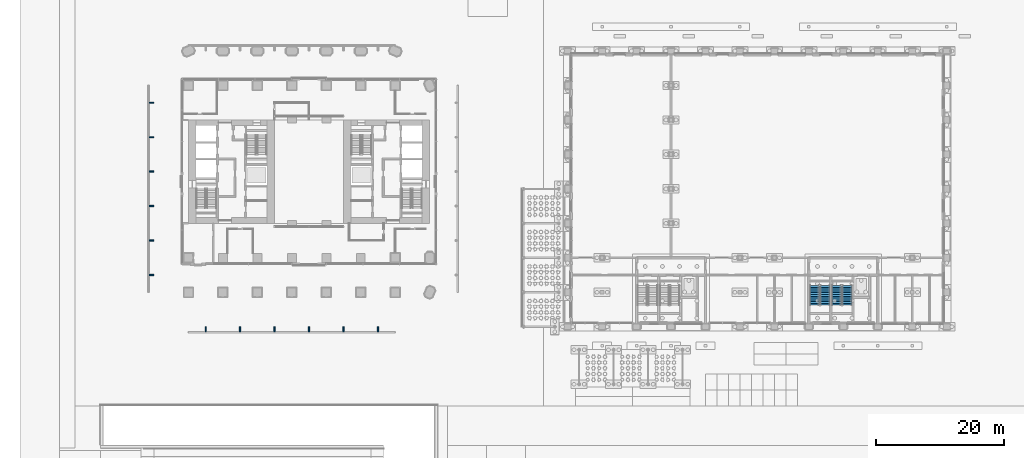
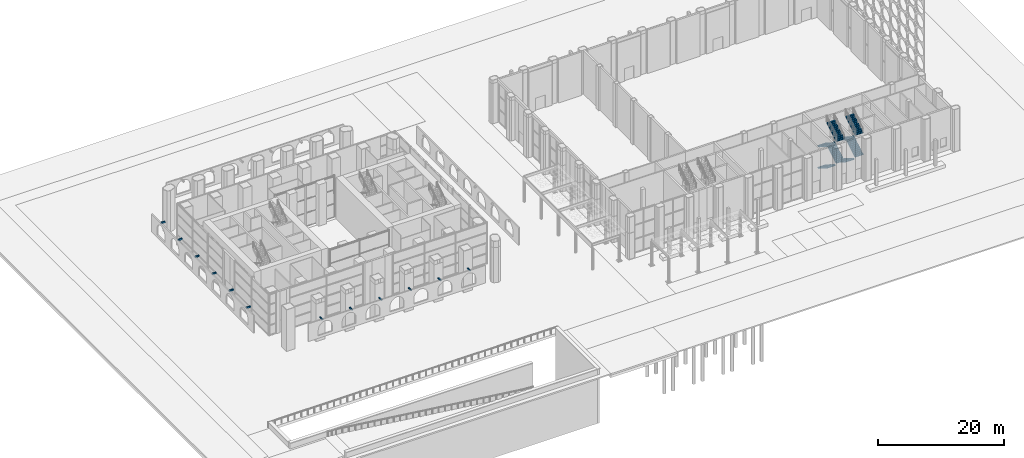
# One storey, part 38 of 54: 12 discrete accessories, 8 stair flights, 2 elements without a shape of their own.
"""IFC4 building model written with IfcOpenShell, lengths in metres."""

from ifc_helpers import new_model, si_unit, direction, frame, origin, origin_2d, place, context, subcontext, project, spatial, polyline, rectangle, outline, extrude, material, type_object, element, aggregate, save


model = new_model("IFC4")

# Units and contexts
model_context = context("Model", 3, precision=1e-05, world=origin(), true_north=direction((0.0, 1.0)))
body_context = subcontext(model_context, "Body", "Model", "MODEL_VIEW")
ifc_project = project(units=[si_unit("LENGTHUNIT", "METRE"), si_unit("AREAUNIT", "SQUARE_METRE"), si_unit("VOLUMEUNIT", "CUBIC_METRE"), si_unit("PLANEANGLEUNIT", "RADIAN"), si_unit("MASSUNIT", "GRAM", prefix="KILO")], contexts=[model_context])

# Site, building, storey
site_placement = place(None, origin())
site = spatial("IfcSite", under=ifc_project, at=site_placement, CompositionType="ELEMENT")
building_placement = place(site_placement, origin())
building = spatial("IfcBuilding", under=site, at=building_placement, Name="Tabaq Tower and Sports Hall", CompositionType="ELEMENT")
storey_placement = place(building_placement, origin())
storey = spatial("IfcBuildingStorey", under=building, at=storey_placement, Name="L00", CompositionType="ELEMENT", Elevation=0.0)

# Stair, stair flights
ifc_material_1 = material(Name="Concrete C40/50", Category="concrete")
stair_type = type_object("IfcStairType", Name="HALL STAIR HALF-TURN", PredefinedType="HALF_TURN_STAIR", material=ifc_material_1)
stair_1_placement = place(storey_placement, origin())
stair_1 = element("IfcStair", 1, at=stair_1_placement, inside=storey, type_object=stair_type, Name="L00 Stair H3", PredefinedType="HALF_TURN_STAIR")
ifc_material_2 = material(Name="Concrete C40/50", Category="concrete")
stair_flight_type = type_object("IfcStairFlightType", Name="HALL STAIR FLIGHT 1500", PredefinedType="STRAIGHT", material=ifc_material_2)
stair_flight_1_placement = place(storey_placement, frame((103.5, 6.449951171875, 0.0), z_axis=(0.0, 0.0, 1.0), x_axis=(0.0, -1.0, 0.0)))
stair_flight_1 = element("IfcStairFlight", 2, at=stair_flight_1_placement, type_object=stair_flight_type, Name="ST-H3 flight 1", NumberOfRisers=12, NumberOfTreads=11, PredefinedType="STRAIGHT", RiserHeight=0.175, TreadLength=0.28, context=body_context, shape_type="SweptSolid", body=[
    extrude(outline(polyline([(0.0, 0.0), (0.0, 0.175048828125), (0.280029296875, 0.175048828125), (0.280029296875, 0.35009765625), (0.56005859375, 0.35009765625), (0.56005859375, 0.52490234375), (0.840087890625, 0.52490234375), (0.840087890625, 0.699951171875), (1.1201171875, 0.699951171875), (1.1201171875, 0.875), (1.39990234375, 0.875), (1.39990234375, 1.050048828125), (1.679931640625, 1.050048828125), (1.679931640625, 1.22509765625), (1.9599609375, 1.22509765625), (1.9599609375, 1.39990234375), (2.239990234375, 1.39990234375), (2.239990234375, 1.574951171875), (2.52001953125, 1.574951171875), (2.52001953125, 1.75), (2.800048828125, 1.75), (2.800048828125, 1.925048828125), (3.080078125, 1.925048828125), (3.080078125, 2.10009765625), (3.080078125, 1.748291015625), (0.28271484375, 0.0), (0.0, 0.0)])), frame((0.0, 0.75, 0.0), z_axis=(0.0, -1.0, 0.0), x_axis=(1.0, 0.0, 0.0)), (0.0, 0.0, 1.0), 1.5),
])
stair_flight_2_placement = place(storey_placement, frame((105.14990234375, 3.3701171875, 2.10009765625), z_axis=(0.0, 0.0, 1.0), x_axis=(0.0, 1.0, 0.0)))
stair_flight_2 = element("IfcStairFlight", 3, at=stair_flight_2_placement, type_object=stair_flight_type, Name="ST-H3 flight 2", NumberOfRisers=12, NumberOfTreads=11, PredefinedType="STRAIGHT", RiserHeight=0.175, TreadLength=0.28, context=body_context, shape_type="SweptSolid", body=[
    extrude(outline(polyline([(0.0, 0.0), (0.0, 0.175048828125), (0.280029296875, 0.175048828125), (0.280029296875, 0.35009765625), (0.56005859375, 0.35009765625), (0.56005859375, 0.52490234375), (0.840087890625, 0.52490234375), (0.840087890625, 0.699951171875), (1.1201171875, 0.699951171875), (1.1201171875, 0.875), (1.39990234375, 0.875), (1.39990234375, 1.050048828125), (1.679931640625, 1.050048828125), (1.679931640625, 1.22509765625), (1.9599609375, 1.22509765625), (1.9599609375, 1.39990234375), (2.239990234375, 1.39990234375), (2.239990234375, 1.574951171875), (2.52001953125, 1.574951171875), (2.52001953125, 1.75), (2.800048828125, 1.75), (2.800048828125, 1.925048828125), (3.080078125, 1.925048828125), (3.080078125, 2.10009765625), (3.080078125, 1.748291015625), (0.28271484375, 0.0), (0.0, 0.0)])), frame((0.0, 0.75, 0.0), z_axis=(0.0, -1.0, 0.0), x_axis=(1.0, 0.0, 0.0)), (0.0, 0.0, 1.0), 1.5),
])
stair_flight_3_placement = place(storey_placement, frame((103.5, 6.449951171875, 4.199951171875), z_axis=(0.0, 0.0, 1.0), x_axis=(0.0, -1.0, 0.0)))
stair_flight_3 = element("IfcStairFlight", 4, at=stair_flight_3_placement, type_object=stair_flight_type, Name="ST-H3 flight 3", NumberOfRisers=12, NumberOfTreads=11, PredefinedType="STRAIGHT", RiserHeight=0.175, TreadLength=0.28, context=body_context, shape_type="SweptSolid", body=[
    extrude(outline(polyline([(0.0, 0.0), (0.0, 0.175048828125), (0.280029296875, 0.175048828125), (0.280029296875, 0.35009765625), (0.56005859375, 0.35009765625), (0.56005859375, 0.52490234375), (0.840087890625, 0.52490234375), (0.840087890625, 0.699951171875), (1.1201171875, 0.699951171875), (1.1201171875, 0.875), (1.39990234375, 0.875), (1.39990234375, 1.050048828125), (1.679931640625, 1.050048828125), (1.679931640625, 1.22509765625), (1.9599609375, 1.22509765625), (1.9599609375, 1.39990234375), (2.239990234375, 1.39990234375), (2.239990234375, 1.574951171875), (2.52001953125, 1.574951171875), (2.52001953125, 1.75), (2.800048828125, 1.75), (2.800048828125, 1.925048828125), (3.080078125, 1.925048828125), (3.080078125, 2.10009765625), (3.080078125, 1.748291015625), (0.28271484375, 0.0), (0.0, 0.0)])), frame((0.0, 0.75, 0.0), z_axis=(0.0, -1.0, 0.0), x_axis=(1.0, 0.0, 0.0)), (0.0, 0.0, 1.0), 1.5),
])
stair_flight_4_placement = place(storey_placement, frame((105.14990234375, 3.3701171875, 6.300048828125), z_axis=(0.0, 0.0, 1.0), x_axis=(0.0, 1.0, 0.0)))
stair_flight_4 = element("IfcStairFlight", 5, at=stair_flight_4_placement, type_object=stair_flight_type, Name="ST-H3 flight 4", NumberOfRisers=12, NumberOfTreads=11, PredefinedType="STRAIGHT", RiserHeight=0.175, TreadLength=0.28, context=body_context, shape_type="SweptSolid", body=[
    extrude(outline(polyline([(0.0, 0.0), (0.0, 0.175048828125), (0.280029296875, 0.175048828125), (0.280029296875, 0.35009765625), (0.56005859375, 0.35009765625), (0.56005859375, 0.52490234375), (0.840087890625, 0.52490234375), (0.840087890625, 0.699951171875), (1.1201171875, 0.699951171875), (1.1201171875, 0.875), (1.39990234375, 0.875), (1.39990234375, 1.050048828125), (1.679931640625, 1.050048828125), (1.679931640625, 1.22509765625), (1.9599609375, 1.22509765625), (1.9599609375, 1.39990234375), (2.239990234375, 1.39990234375), (2.239990234375, 1.574951171875), (2.52001953125, 1.574951171875), (2.52001953125, 1.75), (2.800048828125, 1.75), (2.800048828125, 1.925048828125), (3.080078125, 1.925048828125), (3.080078125, 2.10009765625), (3.080078125, 1.748291015625), (0.28271484375, 0.0), (0.0, 0.0)])), frame((0.0, 0.75, 0.0), z_axis=(0.0, -1.0, 0.0), x_axis=(1.0, 0.0, 0.0)), (0.0, 0.0, 1.0), 1.5),
])
aggregate(stair_1, [stair_flight_1, stair_flight_2, stair_flight_3, stair_flight_4])

stair_2_placement = place(storey_placement, origin())
stair_2 = element("IfcStair", 6, at=stair_2_placement, inside=storey, type_object=stair_type, Name="L00 Stair H4", PredefinedType="HALF_TURN_STAIR")
stair_flight_5_placement = place(storey_placement, frame((106.949951171875, 6.449951171875, 0.0), z_axis=(0.0, 0.0, 1.0), x_axis=(0.0, -1.0, 0.0)))
stair_flight_5 = element("IfcStairFlight", 7, at=stair_flight_5_placement, type_object=stair_flight_type, Name="ST-H4 flight 1", NumberOfRisers=12, NumberOfTreads=11, PredefinedType="STRAIGHT", RiserHeight=0.175, TreadLength=0.28, context=body_context, shape_type="SweptSolid", body=[
    extrude(outline(polyline([(0.0, 0.0), (0.0, 0.175048828125), (0.280029296875, 0.175048828125), (0.280029296875, 0.35009765625), (0.56005859375, 0.35009765625), (0.56005859375, 0.52490234375), (0.840087890625, 0.52490234375), (0.840087890625, 0.699951171875), (1.1201171875, 0.699951171875), (1.1201171875, 0.875), (1.39990234375, 0.875), (1.39990234375, 1.050048828125), (1.679931640625, 1.050048828125), (1.679931640625, 1.22509765625), (1.9599609375, 1.22509765625), (1.9599609375, 1.39990234375), (2.239990234375, 1.39990234375), (2.239990234375, 1.574951171875), (2.52001953125, 1.574951171875), (2.52001953125, 1.75), (2.800048828125, 1.75), (2.800048828125, 1.925048828125), (3.080078125, 1.925048828125), (3.080078125, 2.10009765625), (3.080078125, 1.748291015625), (0.28271484375, 0.0), (0.0, 0.0)])), frame((0.0, 0.75, 0.0), z_axis=(0.0, -1.0, 0.0), x_axis=(1.0, 0.0, 0.0)), (0.0, 0.0, 1.0), 1.5),
])
stair_flight_6_placement = place(storey_placement, frame((108.60009765625, 3.3701171875, 2.10009765625), z_axis=(0.0, 0.0, 1.0), x_axis=(0.0, 1.0, 0.0)))
stair_flight_6 = element("IfcStairFlight", 8, at=stair_flight_6_placement, type_object=stair_flight_type, Name="ST-H4 flight 2", NumberOfRisers=12, NumberOfTreads=11, PredefinedType="STRAIGHT", RiserHeight=0.175, TreadLength=0.28, context=body_context, shape_type="SweptSolid", body=[
    extrude(outline(polyline([(0.0, 0.0), (0.0, 0.175048828125), (0.280029296875, 0.175048828125), (0.280029296875, 0.35009765625), (0.56005859375, 0.35009765625), (0.56005859375, 0.52490234375), (0.840087890625, 0.52490234375), (0.840087890625, 0.699951171875), (1.1201171875, 0.699951171875), (1.1201171875, 0.875), (1.39990234375, 0.875), (1.39990234375, 1.050048828125), (1.679931640625, 1.050048828125), (1.679931640625, 1.22509765625), (1.9599609375, 1.22509765625), (1.9599609375, 1.39990234375), (2.239990234375, 1.39990234375), (2.239990234375, 1.574951171875), (2.52001953125, 1.574951171875), (2.52001953125, 1.75), (2.800048828125, 1.75), (2.800048828125, 1.925048828125), (3.080078125, 1.925048828125), (3.080078125, 2.10009765625), (3.080078125, 1.748291015625), (0.28271484375, 0.0), (0.0, 0.0)])), frame((0.0, 0.75, 0.0), z_axis=(0.0, -1.0, 0.0), x_axis=(1.0, 0.0, 0.0)), (0.0, 0.0, 1.0), 1.5),
])
stair_flight_7_placement = place(storey_placement, frame((106.949951171875, 6.449951171875, 4.199951171875), z_axis=(0.0, 0.0, 1.0), x_axis=(0.0, -1.0, 0.0)))
stair_flight_7 = element("IfcStairFlight", 9, at=stair_flight_7_placement, type_object=stair_flight_type, Name="ST-H4 flight 3", NumberOfRisers=12, NumberOfTreads=11, PredefinedType="STRAIGHT", RiserHeight=0.175, TreadLength=0.28, context=body_context, shape_type="SweptSolid", body=[
    extrude(outline(polyline([(0.0, 0.0), (0.0, 0.175048828125), (0.280029296875, 0.175048828125), (0.280029296875, 0.35009765625), (0.56005859375, 0.35009765625), (0.56005859375, 0.52490234375), (0.840087890625, 0.52490234375), (0.840087890625, 0.699951171875), (1.1201171875, 0.699951171875), (1.1201171875, 0.875), (1.39990234375, 0.875), (1.39990234375, 1.050048828125), (1.679931640625, 1.050048828125), (1.679931640625, 1.22509765625), (1.9599609375, 1.22509765625), (1.9599609375, 1.39990234375), (2.239990234375, 1.39990234375), (2.239990234375, 1.574951171875), (2.52001953125, 1.574951171875), (2.52001953125, 1.75), (2.800048828125, 1.75), (2.800048828125, 1.925048828125), (3.080078125, 1.925048828125), (3.080078125, 2.10009765625), (3.080078125, 1.748291015625), (0.28271484375, 0.0), (0.0, 0.0)])), frame((0.0, 0.75, 0.0), z_axis=(0.0, -1.0, 0.0), x_axis=(1.0, 0.0, 0.0)), (0.0, 0.0, 1.0), 1.5),
])
stair_flight_8_placement = place(storey_placement, frame((108.60009765625, 3.3701171875, 6.300048828125), z_axis=(0.0, 0.0, 1.0), x_axis=(0.0, 1.0, 0.0)))
stair_flight_8 = element("IfcStairFlight", 10, at=stair_flight_8_placement, type_object=stair_flight_type, Name="ST-H4 flight 4", NumberOfRisers=12, NumberOfTreads=11, PredefinedType="STRAIGHT", RiserHeight=0.175, TreadLength=0.28, context=body_context, shape_type="SweptSolid", body=[
    extrude(outline(polyline([(0.0, 0.0), (0.0, 0.175048828125), (0.280029296875, 0.175048828125), (0.280029296875, 0.35009765625), (0.56005859375, 0.35009765625), (0.56005859375, 0.52490234375), (0.840087890625, 0.52490234375), (0.840087890625, 0.699951171875), (1.1201171875, 0.699951171875), (1.1201171875, 0.875), (1.39990234375, 0.875), (1.39990234375, 1.050048828125), (1.679931640625, 1.050048828125), (1.679931640625, 1.22509765625), (1.9599609375, 1.22509765625), (1.9599609375, 1.39990234375), (2.239990234375, 1.39990234375), (2.239990234375, 1.574951171875), (2.52001953125, 1.574951171875), (2.52001953125, 1.75), (2.800048828125, 1.75), (2.800048828125, 1.925048828125), (3.080078125, 1.925048828125), (3.080078125, 2.10009765625), (3.080078125, 1.748291015625), (0.28271484375, 0.0), (0.0, 0.0)])), frame((0.0, 0.75, 0.0), z_axis=(0.0, -1.0, 0.0), x_axis=(1.0, 0.0, 0.0)), (0.0, 0.0, 1.0), 1.5),
])
aggregate(stair_2, [stair_flight_5, stair_flight_6, stair_flight_7, stair_flight_8])

# Discrete accessories
for number, where, z_axis, x_axis, name in (
    (11, (8.10009765625, -0.375, 8.10009765625), (0.0, 0.0, 1.0), (-1.0, 0.0, 0.0), "Stainless steel bracket"),
    (12, (13.5, -0.375, 8.10009765625), (0.0, 0.0, 1.0), (-1.0, 0.0, 0.0), "Stainless steel bracket"),
    (13, (18.89990234375, -0.375, 8.10009765625), (0.0, 0.0, 1.0), (-1.0, 0.0, 0.0), "Stainless steel bracket"),
    (14, (24.300048828125, -0.375, 8.10009765625), (0.0, 0.0, 1.0), (-1.0, 0.0, 0.0), "Stainless steel bracket"),
    (15, (29.699951171875, -0.375, 8.10009765625), (0.0, 0.0, 1.0), (-1.0, 0.0, 0.0), "Stainless steel bracket"),
    (16, (35.10009765625, -0.375, 8.10009765625), (0.0, 0.0, 1.0), (-1.0, 0.0, 0.0), "Stainless steel bracket"),
    (17, (-0.375, 35.10009765625, 8.10009765625), (0.0, 0.0, 1.0), (0.0, 1.0, 0.0), "Stainless steel bracket"),
    (18, (-0.375, 29.699951171875, 8.10009765625), (0.0, 0.0, 1.0), (0.0, 1.0, 0.0), "Stainless steel bracket"),
    (19, (-0.375, 24.300048828125, 8.10009765625), (0.0, 0.0, 1.0), (0.0, 1.0, 0.0), "Stainless steel bracket"),
    (20, (-0.375, 18.89990234375, 8.10009765625), (0.0, 0.0, 1.0), (0.0, 1.0, 0.0), "Stainless steel bracket"),
    (21, (-0.375, 13.5, 8.10009765625), (0.0, 0.0, 1.0), (0.0, 1.0, 0.0), "Stainless steel bracket"),
    (22, (-0.375, 8.10009765625, 8.10009765625), (0.0, 0.0, 1.0), (0.0, 1.0, 0.0), "Stainless steel bracket"),
):
    element("IfcDiscreteAccessory", number, at=place(storey_placement, frame(where, z_axis=z_axis, x_axis=x_axis)), inside=storey, Name=name, PredefinedType="BRACKET", context=body_context, shape_type="SweptSolid", body=[
        extrude(rectangle(XDim=0.199951171875, YDim=0.75, at=origin_2d()), origin(), (0.0, 0.0, 1.0), 0.199951171875),
    ])

save(model, "model.ifc")
